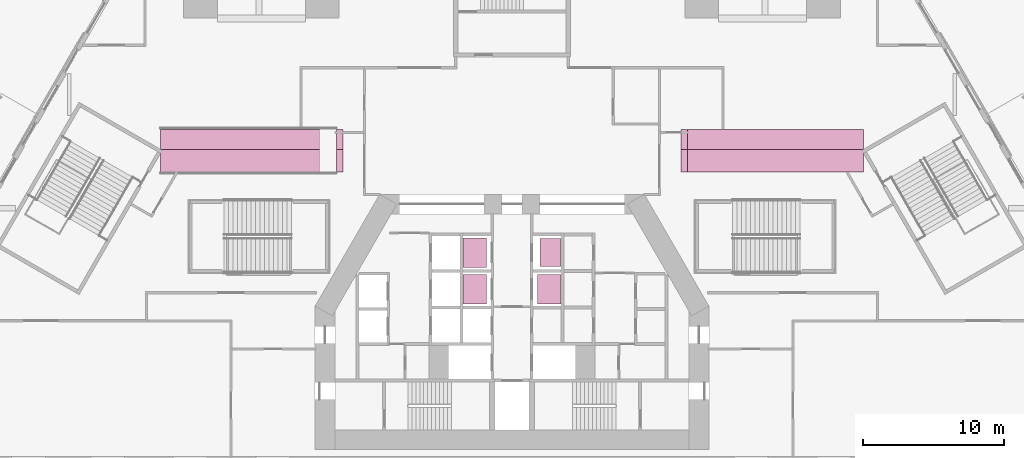
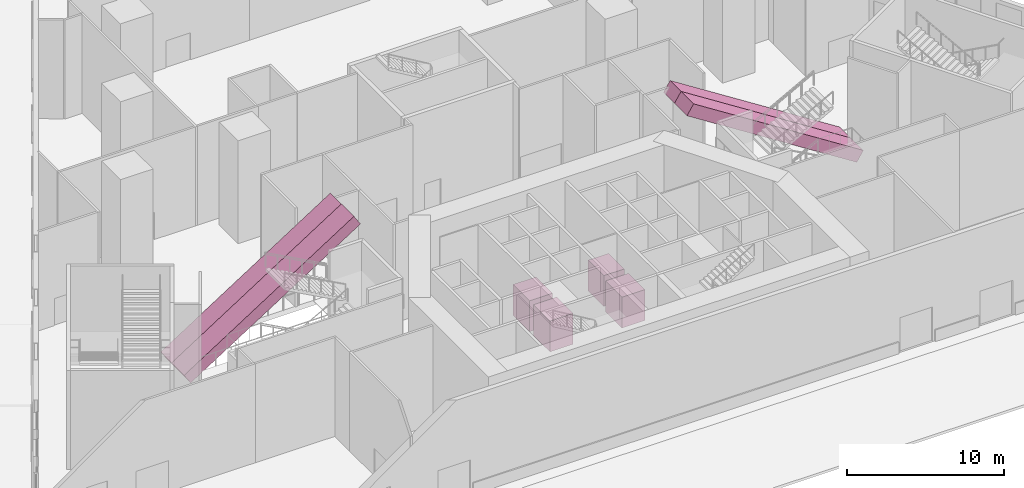
# One storey, part 24 of 24: 8 transport elements.
"""IFC4 building model written with IfcOpenShell, lengths in metres."""

from ifc_helpers import new_model, si_unit, direction, frame, origin, origin_2d, place, context, subcontext, project, spatial, polyline, rectangle, outline, extrude, material, type_object, element, save


model = new_model("IFC4")

# Units and contexts
model_context = context("Model", 3, precision=1e-05, world=origin(), true_north=direction((0.0, 1.0)))
body_context = subcontext(model_context, "Body", "Model", "MODEL_VIEW")
ifc_project = project(units=[si_unit("LENGTHUNIT", "METRE"), si_unit("AREAUNIT", "SQUARE_METRE"), si_unit("VOLUMEUNIT", "CUBIC_METRE"), si_unit("PLANEANGLEUNIT", "RADIAN"), si_unit("MASSUNIT", "GRAM", prefix="KILO")], contexts=[model_context])

# Site, building, storey
site_placement = place(None, origin())
site = spatial("IfcSite", under=ifc_project, at=site_placement, CompositionType="ELEMENT")
building_placement = place(site_placement, origin())
building = spatial("IfcBuilding", under=site, at=building_placement, Name="Fogline Exchange Tower", CompositionType="ELEMENT")
storey_placement = place(building_placement, origin())
storey = spatial("IfcBuildingStorey", under=building, at=storey_placement, Name="L00", CompositionType="ELEMENT", Elevation=0.0)

# Transport elements
ifc_material_1 = material(Name="Steel and glass car", Category="steel")
transport_element_type_1 = type_object("IfcTransportElementType", Name="EL-CAR", PredefinedType="ELEVATOR", material=ifc_material_1)
transport_element_1_placement = place(storey_placement, frame((2.75, 14.85009765625, 0.0), z_axis=(0.0, 0.0, 1.0), x_axis=(1.0, 0.0, 0.0)))
element("IfcTransportElement", 1, at=transport_element_1_placement, inside=storey, type_object=transport_element_type_1, Name="Lift OB1", PredefinedType="ELEVATOR", context=body_context, shape_type="SweptSolid", body=[
    extrude(rectangle(XDim=1.5, YDim=2.0, at=origin_2d()), origin(), (0.0, 0.0, 1.0), 2.39990234375),
])
for number, where, z_axis, x_axis, name in (
    (2, (-2.64990234375, 12.25, 0.0), (0.0, 0.0, 1.0), (1.0, 0.0, 0.0), "Lift SH1"),
    (3, (-2.64990234375, 14.85009765625, 0.0), (0.0, 0.0, 1.0), (1.0, 0.0, 0.0), "Lift SH2"),
    (4, (2.64990234375, 12.25, 0.0), (0.0, 0.0, 1.0), (1.0, 0.0, 0.0), "Lift SH3"),
):
    element("IfcTransportElement", number, at=place(storey_placement, frame(where, z_axis=z_axis, x_axis=x_axis)), inside=storey, type_object=transport_element_type_1, Name=name, PredefinedType="ELEVATOR", context=body_context, shape_type="SweptSolid", body=[
        extrude(rectangle(XDim=1.699951171875, YDim=2.10009765625, at=origin_2d()), origin(), (0.0, 0.0, 1.0), 2.39990234375),
    ])
ifc_material_2 = material(Name="Steel Q235B", Category="steel")
transport_element_type_2 = type_object("IfcTransportElementType", Name="PE1", PredefinedType="ESCALATOR", material=ifc_material_2)
transport_element_2_placement = place(storey_placement, frame((-25.0, 20.60009765625, 0.0), z_axis=(-0.539053696423, 0.0, 0.842271400662), x_axis=(0.0, 1.0, 0.0)))
element("IfcTransportElement", 5, at=transport_element_2_placement, inside=storey, type_object=transport_element_type_2, Name="Escalator up", PredefinedType="ESCALATOR", context=body_context, shape_type="SweptSolid", body=[
    extrude(outline(polyline([(0.0, 0.0), (1.599853515625, 0.0), (1.599853515625, -14.84082207965583), (0.0, -14.84082207965583), (0.0, 0.0)])), origin(), (0.0, 0.0, -1.0), 0.89990234375),
])
transport_element_3_placement = place(storey_placement, frame((-25.0, 22.199951171875, 0.0), z_axis=(-0.539053696423, 0.0, 0.842271400662), x_axis=(0.0, 1.0, 0.0)))
element("IfcTransportElement", 6, at=transport_element_3_placement, inside=storey, type_object=transport_element_type_2, Name="Escalator down", PredefinedType="ESCALATOR", context=body_context, shape_type="SweptSolid", body=[
    extrude(outline(polyline([(0.0, 0.0), (1.400146484375, 0.0), (1.400146484375, -14.84082207965583), (0.0, -14.84082207965583), (0.0, 0.0)])), origin(), (0.0, 0.0, -1.0), 0.89990234375),
])
transport_element_4_placement = place(storey_placement, frame((25.0, 20.60009765625, 0.0), z_axis=(0.539053696423, 0.0, 0.842271400662), x_axis=(0.0, 1.0, 0.0)))
element("IfcTransportElement", 7, at=transport_element_4_placement, inside=storey, type_object=transport_element_type_2, Name="Escalator up", PredefinedType="ESCALATOR", context=body_context, shape_type="SweptSolid", body=[
    extrude(outline(polyline([(0.0, 0.0), (1.599853515625, 0.0), (1.599853515625, 14.84082207965583), (0.0, 14.84082207965583), (0.0, 0.0)])), origin(), (0.0, 0.0, -1.0), 0.89990234375),
])
transport_element_5_placement = place(storey_placement, frame((25.0, 22.199951171875, 0.0), z_axis=(0.539053696423, 0.0, 0.842271400662), x_axis=(0.0, 1.0, 0.0)))
element("IfcTransportElement", 8, at=transport_element_5_placement, inside=storey, type_object=transport_element_type_2, Name="Escalator down", PredefinedType="ESCALATOR", context=body_context, shape_type="SweptSolid", body=[
    extrude(outline(polyline([(0.0, 0.0), (1.400146484375, 0.0), (1.400146484375, 14.84082207965583), (0.0, 14.84082207965583), (0.0, 0.0)])), origin(), (0.0, 0.0, -1.0), 0.89990234375),
])

save(model, "model.ifc")
